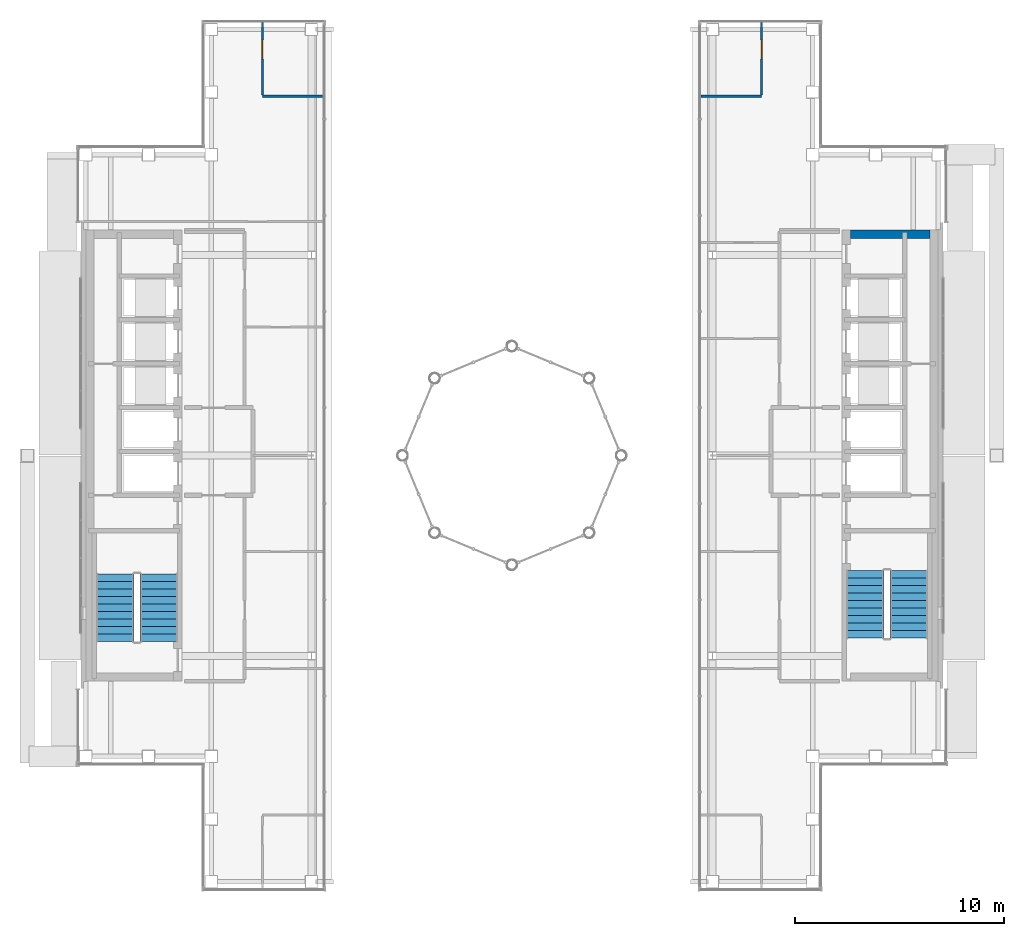
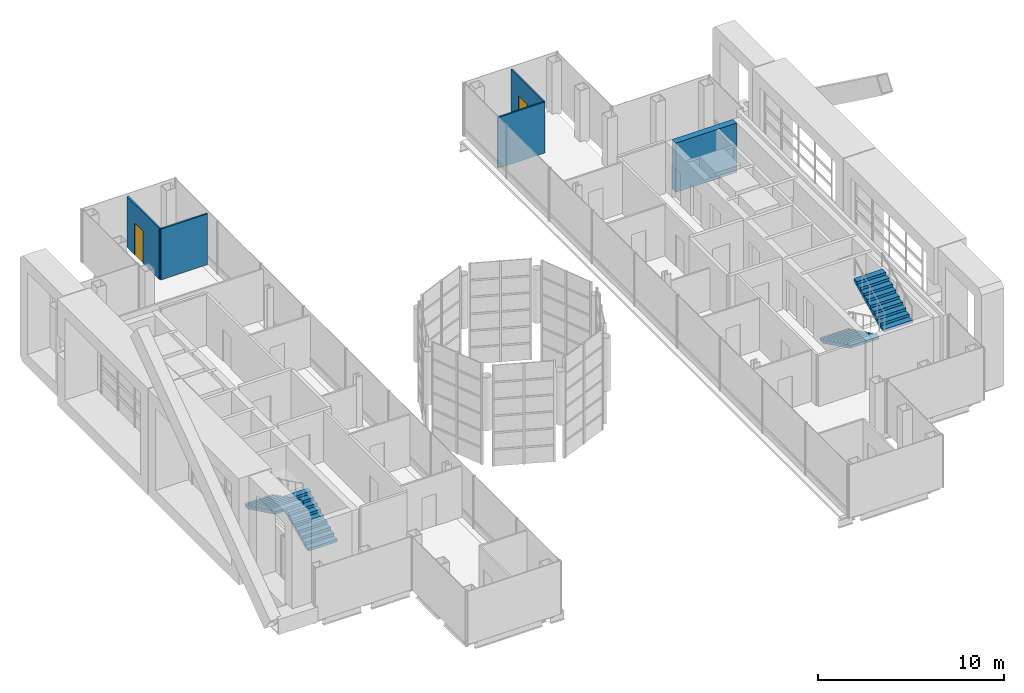
# One storey, part 15 of 21: 5 walls, 4 stair flights, 2 doors, 2 openings, 2 elements without a shape of their own.
"""IFC4 building model written with IfcOpenShell, lengths in metres."""

import ifcopenshell
import ifcopenshell.guid

model = None  # the IFC model being written
_history = None  # IfcOwnerHistory: only IFC2X3 demands one
_inside = {}  # id of a spatial element -> (the spatial element, [elements in it])
_under = {}  # id of a project, library or spatial element -> (it, [spatial elements below it])
_declared = {}  # id of a project -> (the project, [libraries it declares])
_typed = {}  # id of a type object -> (the type object, [elements of that type])
_made_of = {}  # id of a material, layer set ... -> (it, [elements and type objects made of it])


def new_model(schema):
    """Start an empty IFC model of exactly this schema.

    Asked for "IFC4X3", IfcOpenShell would pick the latest addendum, in which some entities
    have other attributes; the version numbers below select the first issue.
    IFC2X3 requires an IfcOwnerHistory on every rooted entity: one is made here for all.
    """
    global model, _history
    if schema == "IFC4X3":
        model = ifcopenshell.file(schema_version=(4, 3, 0, 0))
    else:
        model = ifcopenshell.file(schema=schema)
    _inside.clear()
    _under.clear()
    _declared.clear()
    _typed.clear()
    _made_of.clear()
    _history = None
    if model.schema == "IFC2X3":
        org = make("IfcOrganization", Name="unknown")
        user = make(
            "IfcPersonAndOrganization",
            ThePerson=make("IfcPerson", FamilyName="unknown"),
            TheOrganization=org,
        )
        app = make(
            "IfcApplication",
            ApplicationDeveloper=org,
            Version="unknown",
            ApplicationFullName="unknown",
            ApplicationIdentifier="unknown",
        )
        _history = make(
            "IfcOwnerHistory",
            OwningUser=user,
            OwningApplication=app,
            ChangeAction="ADDED",
            CreationDate=0,
        )
    return model


def make(cls, **values):
    """One entity of the class cls with the attributes given. An attribute that is None is left unset."""
    return model.create_entity(
        cls, **{name: value for name, value in values.items() if value is not None}
    )


def rooted(cls, **values):
    """An entity with a GlobalId (a new one), such as an element, a storey or a relation."""
    return make(cls, GlobalId=ifcopenshell.guid.new(), OwnerHistory=_history, **values)


def si_unit(unit_type, name, prefix=None):
    """IfcSIUnit, for example si_unit("LENGTHUNIT", "METRE", prefix="MILLI")."""
    return make("IfcSIUnit", UnitType=unit_type, Prefix=prefix, Name=name)


def assignment(units):
    """IfcUnitAssignment: the units of a project."""
    return None if units is None else make("IfcUnitAssignment", Units=units)


def point(xyz):
    """IfcCartesianPoint."""
    return None if xyz is None else make("IfcCartesianPoint", Coordinates=xyz)


def direction(xyz):
    """IfcDirection."""
    return None if xyz is None else make("IfcDirection", DirectionRatios=xyz)


def frame(location, z_axis=None, x_axis=None):
    """IfcAxis2Placement3D, a coordinate frame: its origin and axes. An axis left out is left unset."""
    return make(
        "IfcAxis2Placement3D",
        Location=point(location),
        Axis=direction(z_axis),
        RefDirection=direction(x_axis),
    )


def frame_2d(location, x_axis=None):
    """IfcAxis2Placement2D, a coordinate frame in the plane: its origin and x axis."""
    return make(
        "IfcAxis2Placement2D", Location=point(location), RefDirection=direction(x_axis)
    )


def origin():
    """The frame at (0, 0, 0) with its axes left unset."""
    return frame((0.0, 0.0, 0.0))


def place(relative_to, where):
    """IfcLocalPlacement: puts the frame where relative to a parent placement (None: the world)."""
    return make(
        "IfcLocalPlacement", PlacementRelTo=relative_to, RelativePlacement=where
    )


def context(
    kind, dimensions, precision=None, world=None, true_north=None, identifier=None
):
    """IfcGeometricRepresentationContext, for example the 3D "Model" context."""
    return make(
        "IfcGeometricRepresentationContext",
        ContextIdentifier=identifier,
        ContextType=kind,
        CoordinateSpaceDimension=dimensions,
        Precision=precision,
        WorldCoordinateSystem=world,
        TrueNorth=true_north,
    )


def subcontext(parent, identifier, kind, view, scale=None):
    """IfcGeometricRepresentationSubContext, for example "Body" below "Model"."""
    return make(
        "IfcGeometricRepresentationSubContext",
        ContextIdentifier=identifier,
        ContextType=kind,
        ParentContext=parent,
        TargetScale=scale,
        TargetView=view,
    )


def project(units=None, contexts=None):
    """IfcProject with its units and contexts."""
    return rooted(
        "IfcProject",
        Name="project",
        RepresentationContexts=contexts,
        UnitsInContext=assignment(units),
    )


def spatial(cls, under=None, at=None, **own):
    """A site, building, storey or space (cls), placed at a placement, below another one or the project."""
    s = rooted(cls, ObjectPlacement=at, **own)
    if under is not None:
        _under.setdefault(under.id(), (under, []))[1].append(s)
    return s


def polyline(points):
    """IfcPolyline through the points."""
    return make("IfcPolyline", Points=[point(p) for p in points])


def profile(cls, at=None, kind="AREA", **sizes):
    """A parametric profile (cls). Its sizes go by their IFC names, for example OverallWidth=200.0."""
    return make(cls, ProfileType=kind, Position=at, **sizes)


def rectangle(**sizes):
    """IfcRectangleProfileDef."""
    return profile("IfcRectangleProfileDef", **sizes)


def outline(outer, holes=None, kind="AREA"):
    """IfcArbitraryClosedProfileDef: a profile drawn as a closed curve; with holes, ...WithVoids."""
    if holes is None:
        return make("IfcArbitraryClosedProfileDef", ProfileType=kind, OuterCurve=outer)
    return make(
        "IfcArbitraryProfileDefWithVoids",
        ProfileType=kind,
        OuterCurve=outer,
        InnerCurves=holes,
    )


def extrude(swept, where, along, depth):
    """IfcExtrudedAreaSolid: the profile swept, set in the frame where, extruded along a direction by depth."""
    return make(
        "IfcExtrudedAreaSolid",
        SweptArea=swept,
        Position=where,
        ExtrudedDirection=direction(along),
        Depth=depth,
    )


def shape(context_of_items, identifier, shape_type, items):
    """IfcShapeRepresentation: the items that make up one representation, for example the "Body"."""
    return make(
        "IfcShapeRepresentation",
        ContextOfItems=context_of_items,
        RepresentationIdentifier=identifier,
        RepresentationType=shape_type,
        Items=items,
    )


def material(Name=None, Category=None):
    """IfcMaterial."""
    return make("IfcMaterial", Name=Name, Category=Category)


def layer(
    of_material, thickness, ventilated=None, Name=None, Category=None, Priority=None
):
    """IfcMaterialLayer: one layer of a wall or slab, of a material (None: an air gap)."""
    return make(
        "IfcMaterialLayer",
        Material=of_material,
        LayerThickness=thickness,
        IsVentilated=ventilated,
        Name=Name,
        Category=Category,
        Priority=Priority,
    )


def layer_set(layers, Name=None):
    """IfcMaterialLayerSet."""
    return make("IfcMaterialLayerSet", MaterialLayers=layers, LayerSetName=Name)


def made_of(thing, what):
    """Note that an element or type object is made of a material, layer set ...; save() writes the relation."""
    if what is not None:
        _made_of.setdefault(what.id(), (what, []))[1].append(thing)
    return thing


def type_object(cls, material=None, **own):
    """A type object (cls), such as IfcWallType, which elements share."""
    return made_of(rooted(cls, **own), material)


def element(
    cls,
    number,
    at=None,
    inside=None,
    cuts=None,
    type_object=None,
    material=None,
    context=None,
    identifier="Body",
    shape_type=None,
    held_by="IfcProductDefinitionShape",
    body=None,
    shapes=None,
    **own,
):
    """One element of the class cls, such as IfcWall. Its Tag is "e" and its number.

    at: its placement. inside: the storey or other place that contains it. cuts: it is an
    opening in that element (IfcRelVoidsElement). A single representation is given by context,
    identifier, shape_type and body (its items); several are given by shapes. held_by: the class
    of the entity that holds the representations. save() writes the other relations.
    """
    e = rooted(cls, Tag="e%d" % number, ObjectPlacement=at, **own)
    if body is not None:
        shapes = [shape(context, identifier, shape_type, body)]
    if shapes is not None:
        e.Representation = make(held_by, Representations=shapes)
    if inside is not None:
        _inside.setdefault(inside.id(), (inside, []))[1].append(e)
    if cuts is not None:
        rooted(
            "IfcRelVoidsElement", RelatingBuildingElement=cuts, RelatedOpeningElement=e
        )
    if type_object is not None:
        _typed.setdefault(type_object.id(), (type_object, []))[1].append(e)
    return made_of(e, material)


def fill(opening, filler):
    """IfcRelFillsElement: the door or window that sits in an opening."""
    return rooted(
        "IfcRelFillsElement",
        RelatingOpeningElement=opening,
        RelatedBuildingElement=filler,
    )


def aggregate(whole, parts):
    """IfcRelAggregates: a whole, such as a stair, and the parts it consists of."""
    return rooted("IfcRelAggregates", RelatingObject=whole, RelatedObjects=parts)


def save(model, path):
    """Write the relations noted so far, then the file.

    IfcRelAggregates (storeys below a building ...), IfcRelContainedInSpatialStructure (elements
    in a storey), IfcRelDefinesByType, IfcRelAssociatesMaterial and IfcRelDeclares: one each for
    every whole, place, type object, material and project.
    """
    for whole, parts in _under.values():
        aggregate(whole, parts)
    for where, things in _inside.values():
        rooted(
            "IfcRelContainedInSpatialStructure",
            RelatedElements=things,
            RelatingStructure=where,
        )
    for kind, things in _typed.values():
        rooted("IfcRelDefinesByType", RelatedObjects=things, RelatingType=kind)
    for what, things in _made_of.values():
        rooted("IfcRelAssociatesMaterial", RelatedObjects=things, RelatingMaterial=what)
    for by, libraries in _declared.values():
        rooted("IfcRelDeclares", RelatingContext=by, RelatedDefinitions=libraries)
    model.write(path)


model = new_model("IFC4")

# Units and contexts
model_context = context("Model", 3, precision=1e-05, world=origin(), true_north=direction((0.0, 1.0)))
body_context = subcontext(model_context, "Body", "Model", "MODEL_VIEW")
ifc_project = project(units=[si_unit("LENGTHUNIT", "METRE"), si_unit("AREAUNIT", "SQUARE_METRE"), si_unit("VOLUMEUNIT", "CUBIC_METRE"), si_unit("PLANEANGLEUNIT", "RADIAN"), si_unit("MASSUNIT", "GRAM", prefix="KILO")], contexts=[model_context])

# Site, building, storey
site_placement = place(None, origin())
site = spatial("IfcSite", under=ifc_project, at=site_placement, CompositionType="ELEMENT")
building_placement = place(site_placement, origin())
building = spatial("IfcBuilding", under=site, at=building_placement, Name="Cobrizo Arcos Hotel Tower", CompositionType="ELEMENT")
storey_placement = place(building_placement, frame((0.0, 0.0, 276.0)))
storey = spatial("IfcBuildingStorey", under=building, at=storey_placement, Name="L73", CompositionType="ELEMENT", Elevation=276.0)

# Walls
ifc_material_1 = material(Name="Gypsum board partition")
ifc_layer_1 = layer(ifc_material_1, 0.10009765625)
ifc_layer_set_1 = layer_set([ifc_layer_1], Name="Partition EI 30 100")
wall_type_1 = type_object("IfcWallType", Name="Partition EI 30 100", PredefinedType="PARTITIONING", material=ifc_layer_set_1)
for number, where, z_axis, x_axis, name in (
    (1, (-11.949951171875, 17.199951171875, 0.0), (0.0, 0.0, 1.0), (1.0, 0.0, 0.0), "Partition 037"),
    (2, (9.034912109375, 17.199951171875, 0.0), (0.0, 0.0, 1.0), (1.0, 0.0, 0.0), "Partition 038"),
):
    element("IfcWall", number, at=place(storey_placement, frame(where, z_axis=z_axis, x_axis=x_axis)), inside=storey, type_object=wall_type_1, Name=name, PredefinedType="PARTITIONING", context=body_context, shape_type="SweptSolid", body=[
        extrude(rectangle(XDim=2.9150390625, YDim=0.10009765625, at=frame_2d((1.45751953125, 0.0))), origin(), (0.0, 0.0, 1.0), 3.35009765625),
    ])

# Wall, opening, door
wall_1_placement = place(storey_placement, frame((-11.949951171875, 17.25, 0.0), z_axis=(0.0, 0.0, 1.0), x_axis=(0.0, 1.0, 0.0)))
wall_1 = element("IfcWall", 3, at=wall_1_placement, inside=storey, type_object=wall_type_1, Name="Partition 046", PredefinedType="PARTITIONING", context=body_context, shape_type="SweptSolid", body=[
    extrude(rectangle(XDim=3.47998046875, YDim=0.10009765625, at=frame_2d((1.739990234375, 0.0))), origin(), (0.0, 0.0, 1.0), 3.35009765625),
])
opening_1_placement = place(wall_1_placement, frame((1.739990234375, 0.0, 0.0)))
opening_1 = element("IfcOpeningElement", 4, at=opening_1_placement, cuts=wall_1, Name="Opening ED-03", PredefinedType="OPENING", context=body_context, shape_type="SweptSolid", body=[
    extrude(rectangle(XDim=0.89990234375, YDim=2.10009765625, at=frame_2d((0.449951171875, 1.050048828125))), frame((0.0, 0.06201171875, 0.0), z_axis=(0.0, -1.0, 0.0), x_axis=(1.0, 0.0, 0.0)), (0.0, 0.0, 1.0), 0.1240234375),
])
ifc_material_2 = material(Name="Timber door leaf", Category="wood")
door_type = type_object("IfcDoorType", Name="En-suite door 900x2100", OperationType="SINGLE_SWING_LEFT", PredefinedType="DOOR", material=ifc_material_2)
door_1_placement = place(opening_1_placement, origin())
door_1 = element("IfcDoor", 5, at=door_1_placement, inside=storey, type_object=door_type, Name="Door ED-03", OperationType="SINGLE_SWING_LEFT", OverallHeight=2.10009765625, OverallWidth=0.89990234375, PredefinedType="DOOR", context=body_context, shape_type="SweptSolid", body=[
    extrude(rectangle(XDim=0.89990234375, YDim=2.10009765625, at=frame_2d((0.449951171875, 1.050048828125))), frame((0.0, 0.02490234375, 0.0), z_axis=(0.0, -1.0, 0.0), x_axis=(1.0, 0.0, 0.0)), (0.0, 0.0, 1.0), 0.050048828125),
])
fill(opening_1, door_1)

wall_2_placement = place(storey_placement, frame((11.949951171875, 17.25, 0.0), z_axis=(0.0, 0.0, 1.0), x_axis=(0.0, 1.0, 0.0)))
wall_2 = element("IfcWall", 6, at=wall_2_placement, inside=storey, type_object=wall_type_1, Name="Partition 048", PredefinedType="PARTITIONING", context=body_context, shape_type="SweptSolid", body=[
    extrude(rectangle(XDim=3.47998046875, YDim=0.10009765625, at=frame_2d((1.739990234375, 0.0))), origin(), (0.0, 0.0, 1.0), 3.35009765625),
])
opening_2_placement = place(wall_2_placement, frame((1.739990234375, 0.0, 0.0)))
opening_2 = element("IfcOpeningElement", 7, at=opening_2_placement, cuts=wall_2, Name="Opening ED-01", PredefinedType="OPENING", context=body_context, shape_type="SweptSolid", body=[
    extrude(rectangle(XDim=0.89990234375, YDim=2.10009765625, at=frame_2d((0.449951171875, 1.050048828125))), frame((0.0, 0.06201171875, 0.0), z_axis=(0.0, -1.0, 0.0), x_axis=(1.0, 0.0, 0.0)), (0.0, 0.0, 1.0), 0.1240234375),
])
door_2_placement = place(opening_2_placement, origin())
door_2 = element("IfcDoor", 8, at=door_2_placement, inside=storey, type_object=door_type, Name="Door ED-01", OperationType="SINGLE_SWING_RIGHT", OverallHeight=2.10009765625, OverallWidth=0.89990234375, PredefinedType="DOOR", context=body_context, shape_type="SweptSolid", body=[
    extrude(rectangle(XDim=0.89990234375, YDim=2.10009765625, at=frame_2d((0.449951171875, 1.050048828125))), frame((0.0, 0.02490234375, 0.0), z_axis=(0.0, -1.0, 0.0), x_axis=(1.0, 0.0, 0.0)), (0.0, 0.0, 1.0), 0.050048828125),
])
fill(opening_2, door_2)

# Wall
ifc_material_3 = material(Name="Concrete f'c 40 MPa", Category="concrete")
ifc_layer_2 = layer(ifc_material_3, 0.39990234375)
ifc_layer_set_2 = layer_set([ifc_layer_2], Name="RC core wall 400 f'c 40")
wall_type_2 = type_object("IfcWallType", Name="RC core wall 400 f'c 40", PredefinedType="SHEAR", material=ifc_layer_set_2)
wall_3_placement = place(storey_placement, frame((16.199951171875, 10.60009765625, 0.0), z_axis=(0.0, 0.0, 1.0), x_axis=(1.0, 0.0, 0.0)))
element("IfcWall", 9, at=wall_3_placement, inside=storey, type_object=wall_type_2, Name="Core wall CW4, east core, north end, L73", PredefinedType="SHEAR", context=body_context, shape_type="SweptSolid", body=[
    extrude(rectangle(XDim=3.800048828125, YDim=0.39990234375, at=frame_2d((1.89990234375, 0.0))), origin(), (0.0, 0.0, 1.0), 3.25),
])

# Stair, stair flights
stair_type = type_object("IfcStairType", Name="Exit stair", PredefinedType="HALF_TURN_STAIR", material=ifc_material_3)
stair_1_placement = place(storey_placement, origin())
stair_1 = element("IfcStair", 10, at=stair_1_placement, inside=storey, type_object=stair_type, Name="L73 Exit stair ST-W", PredefinedType="HALF_TURN_STAIR")
stair_flight_type = type_object("IfcStairFlightType", Name="Exit stair flight", PredefinedType="STRAIGHT", material=ifc_material_3)
stair_flight_1_placement = place(storey_placement, frame((-16.89990234375, -8.89990234375, 0.0), z_axis=(0.0, 0.0, 1.0), x_axis=(0.0, 1.0, 0.0)))
stair_flight_1 = element("IfcStairFlight", 11, at=stair_flight_1_placement, type_object=stair_flight_type, Name="ST-W flight 1", NumberOfRisers=10, NumberOfTreads=9, PredefinedType="STRAIGHT", RiserHeight=0.175, TreadLength=0.36, context=body_context, shape_type="SweptSolid", body=[
    extrude(outline(polyline([(0.0, 0.0), (0.0, 0.175048828125), (0.360107421875, 0.175048828125), (0.360107421875, 0.35009765625), (0.719970703125, 0.35009765625), (0.719970703125, 0.52490234375), (1.080078125, 0.52490234375), (1.080078125, 0.699951171875), (1.43994140625, 0.699951171875), (1.43994140625, 0.875), (1.800048828125, 0.875), (1.800048828125, 1.050048828125), (2.159912109375, 1.050048828125), (2.159912109375, 1.22509765625), (2.52001953125, 1.22509765625), (2.52001953125, 1.39990234375), (2.8798828125, 1.39990234375), (2.8798828125, 1.574951171875), (3.239990234375, 1.574951171875), (3.239990234375, 1.75), (3.239990234375, 1.408203125), (0.3427734375, 0.0), (0.0, 0.0)])), frame((0.0, 0.89990234375, 0.0), z_axis=(0.0, -1.0, 0.0), x_axis=(1.0, 0.0, 0.0)), (0.0, 0.0, 1.0), 1.800048828125),
])
stair_flight_2_placement = place(storey_placement, frame((-19.0, -5.659912109375, 1.75), z_axis=(0.0, 0.0, 1.0), x_axis=(0.0, -1.0, 0.0)))
stair_flight_2 = element("IfcStairFlight", 12, at=stair_flight_2_placement, type_object=stair_flight_type, Name="ST-W flight 2", NumberOfRisers=10, NumberOfTreads=9, PredefinedType="STRAIGHT", RiserHeight=0.175, TreadLength=0.36, context=body_context, shape_type="SweptSolid", body=[
    extrude(outline(polyline([(0.0, 0.0), (0.0, 0.175048828125), (0.360107421875, 0.175048828125), (0.360107421875, 0.35009765625), (0.719970703125, 0.35009765625), (0.719970703125, 0.52490234375), (1.080078125, 0.52490234375), (1.080078125, 0.699951171875), (1.43994140625, 0.699951171875), (1.43994140625, 0.875), (1.800048828125, 0.875), (1.800048828125, 1.050048828125), (2.159912109375, 1.050048828125), (2.159912109375, 1.22509765625), (2.52001953125, 1.22509765625), (2.52001953125, 1.39990234375), (2.8798828125, 1.39990234375), (2.8798828125, 1.574951171875), (3.239990234375, 1.574951171875), (3.239990234375, 1.75), (3.239990234375, 1.408203125), (0.3427734375, 0.0), (0.0, 0.0)])), frame((0.0, 0.89990234375, 0.0), z_axis=(0.0, -1.0, 0.0), x_axis=(1.0, 0.0, 0.0)), (0.0, 0.0, 1.0), 1.800048828125),
])
aggregate(stair_1, [stair_flight_1, stair_flight_2])

stair_2_placement = place(storey_placement, origin())
stair_2 = element("IfcStair", 13, at=stair_2_placement, inside=storey, type_object=stair_type, Name="L73 Exit stair ST-E", PredefinedType="HALF_TURN_STAIR")
stair_flight_3_placement = place(storey_placement, frame((16.89990234375, -5.5, 0.0), z_axis=(0.0, 0.0, 1.0), x_axis=(0.0, -1.0, 0.0)))
stair_flight_3 = element("IfcStairFlight", 14, at=stair_flight_3_placement, type_object=stair_flight_type, Name="ST-E flight 1", NumberOfRisers=10, NumberOfTreads=9, PredefinedType="STRAIGHT", RiserHeight=0.175, TreadLength=0.36, context=body_context, shape_type="SweptSolid", body=[
    extrude(outline(polyline([(0.0, 0.0), (0.0, 0.175048828125), (0.360107421875, 0.175048828125), (0.360107421875, 0.35009765625), (0.719970703125, 0.35009765625), (0.719970703125, 0.52490234375), (1.080078125, 0.52490234375), (1.080078125, 0.699951171875), (1.43994140625, 0.699951171875), (1.43994140625, 0.875), (1.800048828125, 0.875), (1.800048828125, 1.050048828125), (2.159912109375, 1.050048828125), (2.159912109375, 1.22509765625), (2.52001953125, 1.22509765625), (2.52001953125, 1.39990234375), (2.8798828125, 1.39990234375), (2.8798828125, 1.574951171875), (3.239990234375, 1.574951171875), (3.239990234375, 1.75), (3.239990234375, 1.408203125), (0.3427734375, 0.0), (0.0, 0.0)])), frame((0.0, 0.89990234375, 0.0), z_axis=(0.0, -1.0, 0.0), x_axis=(1.0, 0.0, 0.0)), (0.0, 0.0, 1.0), 1.800048828125),
])
stair_flight_4_placement = place(storey_placement, frame((19.0, -8.739990234375, 1.75), z_axis=(0.0, 0.0, 1.0), x_axis=(0.0, 1.0, 0.0)))
stair_flight_4 = element("IfcStairFlight", 15, at=stair_flight_4_placement, type_object=stair_flight_type, Name="ST-E flight 2", NumberOfRisers=10, NumberOfTreads=9, PredefinedType="STRAIGHT", RiserHeight=0.175, TreadLength=0.36, context=body_context, shape_type="SweptSolid", body=[
    extrude(outline(polyline([(0.0, 0.0), (0.0, 0.175048828125), (0.360107421875, 0.175048828125), (0.360107421875, 0.35009765625), (0.719970703125, 0.35009765625), (0.719970703125, 0.52490234375), (1.080078125, 0.52490234375), (1.080078125, 0.699951171875), (1.43994140625, 0.699951171875), (1.43994140625, 0.875), (1.800048828125, 0.875), (1.800048828125, 1.050048828125), (2.159912109375, 1.050048828125), (2.159912109375, 1.22509765625), (2.52001953125, 1.22509765625), (2.52001953125, 1.39990234375), (2.8798828125, 1.39990234375), (2.8798828125, 1.574951171875), (3.239990234375, 1.574951171875), (3.239990234375, 1.75), (3.239990234375, 1.408203125), (0.3427734375, 0.0), (0.0, 0.0)])), frame((0.0, 0.89990234375, 0.0), z_axis=(0.0, -1.0, 0.0), x_axis=(1.0, 0.0, 0.0)), (0.0, 0.0, 1.0), 1.800048828125),
])
aggregate(stair_2, [stair_flight_3, stair_flight_4])

save(model, "model.ifc")
